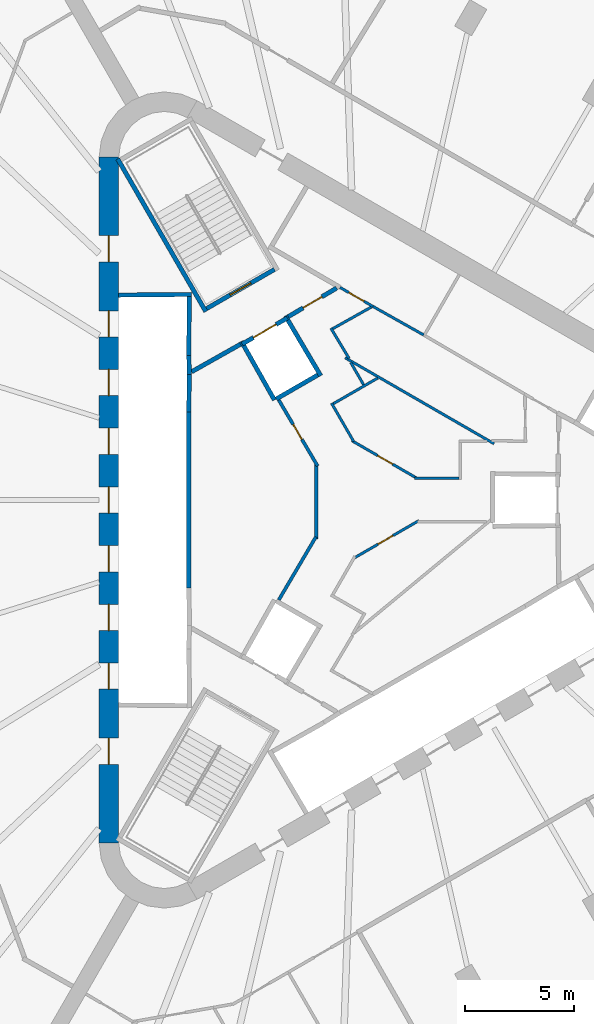
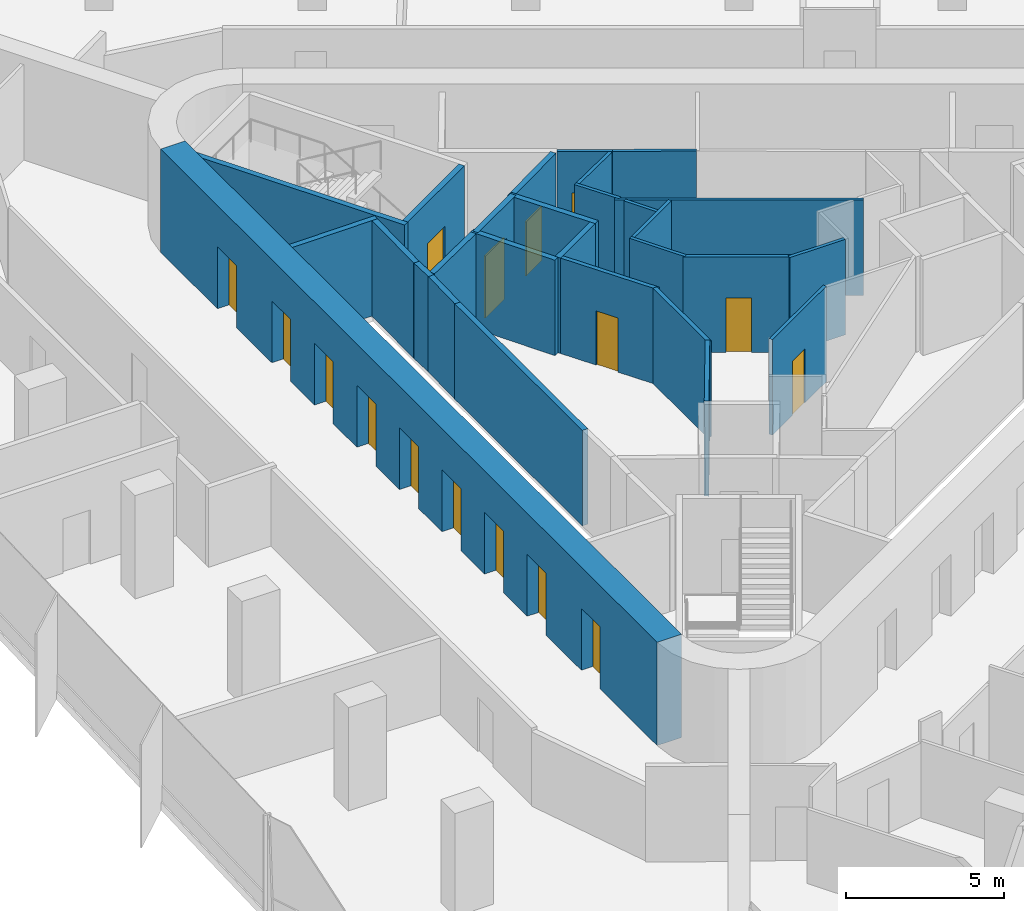
# One storey, part 10 of 14: 28 walls, 16 doors, 16 openings.
"""IFC4 building model written with IfcOpenShell, lengths in metres."""

from ifc_helpers import new_model, si_unit, direction, frame, frame_2d, origin, place, context, subcontext, project, spatial, rectangle, extrude, material, layer, layer_set, type_object, element, fill, save


model = new_model("IFC4")

# Units and contexts
model_context = context("Model", 3, precision=1e-05, world=origin(), true_north=direction((0.0, 1.0)))
body_context = subcontext(model_context, "Body", "Model", "MODEL_VIEW")
ifc_project = project(units=[si_unit("LENGTHUNIT", "METRE"), si_unit("AREAUNIT", "SQUARE_METRE"), si_unit("VOLUMEUNIT", "CUBIC_METRE"), si_unit("PLANEANGLEUNIT", "RADIAN"), si_unit("MASSUNIT", "GRAM", prefix="KILO")], contexts=[model_context])

# Site, building, storey
site_placement = place(None, origin())
site = spatial("IfcSite", under=ifc_project, at=site_placement, CompositionType="ELEMENT")
building_placement = place(site_placement, origin())
building = spatial("IfcBuilding", under=site, at=building_placement, Name="Tanit Gate Tower", CompositionType="ELEMENT")
storey_placement = place(building_placement, frame((0.0, 0.0, 245.199951171875)))
storey = spatial("IfcBuildingStorey", under=building, at=storey_placement, Name="L55", CompositionType="ELEMENT", Elevation=245.199951171875)

# Wall, openings, doors
ifc_material_1 = material(Name="Concrete C50/60", Category="concrete")
ifc_layer_1 = layer(ifc_material_1, 0.89990234375)
ifc_layer_set_1 = layer_set([ifc_layer_1], Name="CORE WALL 900 C50/60")
wall_type_1 = type_object("IfcWallType", Name="CORE WALL 900 C50/60", PredefinedType="SHEAR", material=ifc_layer_set_1)
wall_1_placement = place(storey_placement, frame((-11.64990234375, 15.76171875, 0.0), z_axis=(0.0, 0.0, 1.0), x_axis=(0.0, -1.0, 0.0)))
wall_1 = element("IfcWall", 1, at=wall_1_placement, inside=storey, type_object=wall_type_1, Name="CORE WALL", PredefinedType="SHEAR", context=body_context, shape_type="SweptSolid", body=[
    extrude(rectangle(XDim=31.5234375, YDim=0.89990234375, at=frame_2d((15.76171875, 0.0))), origin(), (0.0, 0.0, 1.0), 4.0),
])
opening_1_placement = place(wall_1_placement, frame((7.061767578125, 0.0, 0.0)))
opening_1 = element("IfcOpeningElement", 2, at=opening_1_placement, cuts=wall_1, Name="Opening LDML1-S15", PredefinedType="OPENING", context=body_context, shape_type="SweptSolid", body=[
    extrude(rectangle(XDim=1.199951171875, YDim=2.39990234375, at=frame_2d((0.60009765625, 1.199951171875))), frame((0.0, 0.4599609375, 0.0), z_axis=(0.0, -1.0, 0.0), x_axis=(1.0, 0.0, 0.0)), (0.0, 0.0, 1.0), 0.919921875),
])
opening_2_placement = place(wall_1_placement, frame((9.76171875, 0.0, 0.0)))
opening_2 = element("IfcOpeningElement", 3, at=opening_2_placement, cuts=wall_1, Name="Opening LDML2-S15", PredefinedType="OPENING", context=body_context, shape_type="SweptSolid", body=[
    extrude(rectangle(XDim=1.199951171875, YDim=2.39990234375, at=frame_2d((0.60009765625, 1.199951171875))), frame((0.0, 0.4599609375, 0.0), z_axis=(0.0, -1.0, 0.0), x_axis=(1.0, 0.0, 0.0)), (0.0, 0.0, 1.0), 0.919921875),
])
opening_3_placement = place(wall_1_placement, frame((12.461669921875, 0.0, 0.0)))
opening_3 = element("IfcOpeningElement", 4, at=opening_3_placement, cuts=wall_1, Name="Opening LDML3-S15", PredefinedType="OPENING", context=body_context, shape_type="SweptSolid", body=[
    extrude(rectangle(XDim=1.199951171875, YDim=2.39990234375, at=frame_2d((0.60009765625, 1.199951171875))), frame((0.0, 0.4599609375, 0.0), z_axis=(0.0, -1.0, 0.0), x_axis=(1.0, 0.0, 0.0)), (0.0, 0.0, 1.0), 0.919921875),
])
opening_4_placement = place(wall_1_placement, frame((15.16162109375, 0.0, 0.0)))
opening_4 = element("IfcOpeningElement", 5, at=opening_4_placement, cuts=wall_1, Name="Opening LDML4-S15", PredefinedType="OPENING", context=body_context, shape_type="SweptSolid", body=[
    extrude(rectangle(XDim=1.199951171875, YDim=2.39990234375, at=frame_2d((0.60009765625, 1.199951171875))), frame((0.0, 0.4599609375, 0.0), z_axis=(0.0, -1.0, 0.0), x_axis=(1.0, 0.0, 0.0)), (0.0, 0.0, 1.0), 0.919921875),
])
opening_5_placement = place(wall_1_placement, frame((17.86181640625, 0.0, 0.0)))
opening_5 = element("IfcOpeningElement", 6, at=opening_5_placement, cuts=wall_1, Name="Opening LDML5-S15", PredefinedType="OPENING", context=body_context, shape_type="SweptSolid", body=[
    extrude(rectangle(XDim=1.199951171875, YDim=2.39990234375, at=frame_2d((0.60009765625, 1.199951171875))), frame((0.0, 0.4599609375, 0.0), z_axis=(0.0, -1.0, 0.0), x_axis=(1.0, 0.0, 0.0)), (0.0, 0.0, 1.0), 0.919921875),
])
opening_6_placement = place(wall_1_placement, frame((20.561767578125, 0.0, 0.0)))
opening_6 = element("IfcOpeningElement", 7, at=opening_6_placement, cuts=wall_1, Name="Opening LDML6-S15", PredefinedType="OPENING", context=body_context, shape_type="SweptSolid", body=[
    extrude(rectangle(XDim=1.199951171875, YDim=2.39990234375, at=frame_2d((0.60009765625, 1.199951171875))), frame((0.0, 0.4599609375, 0.0), z_axis=(0.0, -1.0, 0.0), x_axis=(1.0, 0.0, 0.0)), (0.0, 0.0, 1.0), 0.919921875),
])
opening_7_placement = place(wall_1_placement, frame((23.26171875, 0.0, 0.0)))
opening_7 = element("IfcOpeningElement", 8, at=opening_7_placement, cuts=wall_1, Name="Opening LDML7-S15", PredefinedType="OPENING", context=body_context, shape_type="SweptSolid", body=[
    extrude(rectangle(XDim=1.199951171875, YDim=2.39990234375, at=frame_2d((0.60009765625, 1.199951171875))), frame((0.0, 0.4599609375, 0.0), z_axis=(0.0, -1.0, 0.0), x_axis=(1.0, 0.0, 0.0)), (0.0, 0.0, 1.0), 0.919921875),
])
opening_8_placement = place(wall_1_placement, frame((3.61181640625, 0.0, 0.0)))
opening_8 = element("IfcOpeningElement", 9, at=opening_8_placement, cuts=wall_1, Name="Opening F12-S15-FL2", PredefinedType="OPENING", context=body_context, shape_type="SweptSolid", body=[
    extrude(rectangle(XDim=1.199951171875, YDim=2.39990234375, at=frame_2d((0.60009765625, 1.199951171875))), frame((0.0, 0.4599609375, 0.0), z_axis=(0.0, -1.0, 0.0), x_axis=(1.0, 0.0, 0.0)), (0.0, 0.0, 1.0), 0.919921875),
])
opening_9_placement = place(wall_1_placement, frame((26.711669921875, 0.0, 0.0)))
opening_9 = element("IfcOpeningElement", 10, at=opening_9_placement, cuts=wall_1, Name="Opening F12-S15-S3", PredefinedType="OPENING", context=body_context, shape_type="SweptSolid", body=[
    extrude(rectangle(XDim=1.199951171875, YDim=2.39990234375, at=frame_2d((0.60009765625, 1.199951171875))), frame((0.0, 0.4599609375, 0.0), z_axis=(0.0, -1.0, 0.0), x_axis=(1.0, 0.0, 0.0)), (0.0, 0.0, 1.0), 0.919921875),
])
ifc_material_2 = material(Name="Fire-rated steel door leaf", Category="steel")
door_type_1 = type_object("IfcDoorType", Name="INT-DOOR-FIRE-LOBBY-1200", OperationType="NOTDEFINED", PredefinedType="USERDEFINED", material=ifc_material_2)
door_1_placement = place(opening_8_placement, origin())
door_1 = element("IfcDoor", 11, at=door_1_placement, inside=storey, type_object=door_type_1, Name="Door F12-S15-FL2", ObjectType="FIRE DOOR", OperationType="SINGLE_SWING_LEFT", OverallHeight=2.39990234375, OverallWidth=1.199951171875, PredefinedType="USERDEFINED", context=body_context, shape_type="SweptSolid", body=[
    extrude(rectangle(XDim=1.199951171875, YDim=2.39990234375, at=frame_2d((0.60009765625, 1.199951171875))), frame((0.0, 0.02490234375, 0.0), z_axis=(0.0, -1.0, 0.0), x_axis=(1.0, 0.0, 0.0)), (0.0, 0.0, 1.0), 0.050048828125),
])
fill(opening_8, door_1)
door_2_placement = place(opening_9_placement, origin())
door_2 = element("IfcDoor", 12, at=door_2_placement, inside=storey, type_object=door_type_1, Name="Door F12-S15-S3", ObjectType="FIRE DOOR", OperationType="SINGLE_SWING_RIGHT", OverallHeight=2.39990234375, OverallWidth=1.199951171875, PredefinedType="USERDEFINED", context=body_context, shape_type="SweptSolid", body=[
    extrude(rectangle(XDim=1.199951171875, YDim=2.39990234375, at=frame_2d((0.60009765625, 1.199951171875))), frame((0.0, 0.02490234375, 0.0), z_axis=(0.0, -1.0, 0.0), x_axis=(1.0, 0.0, 0.0)), (0.0, 0.0, 1.0), 0.050048828125),
])
fill(opening_9, door_2)
ifc_material_3 = material(Name="Stainless steel sliding door leaf", Category="steel")
door_type_2 = type_object("IfcDoorType", Name="INT-DOOR-LANDING-1200", OperationType="NOTDEFINED", PredefinedType="USERDEFINED", material=ifc_material_3)
door_3_placement = place(opening_1_placement, origin())
door_3 = element("IfcDoor", 13, at=door_3_placement, inside=storey, type_object=door_type_2, Name="Door LDML1-S15", ObjectType="LANDING DOOR", OperationType="SLIDING_TO_LEFT", OverallHeight=2.39990234375, OverallWidth=1.199951171875, PredefinedType="USERDEFINED", context=body_context, shape_type="SweptSolid", body=[
    extrude(rectangle(XDim=1.199951171875, YDim=2.39990234375, at=frame_2d((0.60009765625, 1.199951171875))), frame((0.0, 0.02490234375, 0.0), z_axis=(0.0, -1.0, 0.0), x_axis=(1.0, 0.0, 0.0)), (0.0, 0.0, 1.0), 0.050048828125),
])
fill(opening_1, door_3)
door_4_placement = place(opening_2_placement, origin())
door_4 = element("IfcDoor", 14, at=door_4_placement, inside=storey, type_object=door_type_2, Name="Door LDML2-S15", ObjectType="LANDING DOOR", OperationType="SLIDING_TO_LEFT", OverallHeight=2.39990234375, OverallWidth=1.199951171875, PredefinedType="USERDEFINED", context=body_context, shape_type="SweptSolid", body=[
    extrude(rectangle(XDim=1.199951171875, YDim=2.39990234375, at=frame_2d((0.60009765625, 1.199951171875))), frame((0.0, 0.02490234375, 0.0), z_axis=(0.0, -1.0, 0.0), x_axis=(1.0, 0.0, 0.0)), (0.0, 0.0, 1.0), 0.050048828125),
])
fill(opening_2, door_4)
door_5_placement = place(opening_3_placement, origin())
door_5 = element("IfcDoor", 15, at=door_5_placement, inside=storey, type_object=door_type_2, Name="Door LDML3-S15", ObjectType="LANDING DOOR", OperationType="SLIDING_TO_LEFT", OverallHeight=2.39990234375, OverallWidth=1.199951171875, PredefinedType="USERDEFINED", context=body_context, shape_type="SweptSolid", body=[
    extrude(rectangle(XDim=1.199951171875, YDim=2.39990234375, at=frame_2d((0.60009765625, 1.199951171875))), frame((0.0, 0.02490234375, 0.0), z_axis=(0.0, -1.0, 0.0), x_axis=(1.0, 0.0, 0.0)), (0.0, 0.0, 1.0), 0.050048828125),
])
fill(opening_3, door_5)
door_6_placement = place(opening_4_placement, origin())
door_6 = element("IfcDoor", 16, at=door_6_placement, inside=storey, type_object=door_type_2, Name="Door LDML4-S15", ObjectType="LANDING DOOR", OperationType="SLIDING_TO_LEFT", OverallHeight=2.39990234375, OverallWidth=1.199951171875, PredefinedType="USERDEFINED", context=body_context, shape_type="SweptSolid", body=[
    extrude(rectangle(XDim=1.199951171875, YDim=2.39990234375, at=frame_2d((0.60009765625, 1.199951171875))), frame((0.0, 0.02490234375, 0.0), z_axis=(0.0, -1.0, 0.0), x_axis=(1.0, 0.0, 0.0)), (0.0, 0.0, 1.0), 0.050048828125),
])
fill(opening_4, door_6)
door_7_placement = place(opening_5_placement, origin())
door_7 = element("IfcDoor", 17, at=door_7_placement, inside=storey, type_object=door_type_2, Name="Door LDML5-S15", ObjectType="LANDING DOOR", OperationType="SLIDING_TO_LEFT", OverallHeight=2.39990234375, OverallWidth=1.199951171875, PredefinedType="USERDEFINED", context=body_context, shape_type="SweptSolid", body=[
    extrude(rectangle(XDim=1.199951171875, YDim=2.39990234375, at=frame_2d((0.60009765625, 1.199951171875))), frame((0.0, 0.02490234375, 0.0), z_axis=(0.0, -1.0, 0.0), x_axis=(1.0, 0.0, 0.0)), (0.0, 0.0, 1.0), 0.050048828125),
])
fill(opening_5, door_7)
door_8_placement = place(opening_6_placement, origin())
door_8 = element("IfcDoor", 18, at=door_8_placement, inside=storey, type_object=door_type_2, Name="Door LDML6-S15", ObjectType="LANDING DOOR", OperationType="SLIDING_TO_LEFT", OverallHeight=2.39990234375, OverallWidth=1.199951171875, PredefinedType="USERDEFINED", context=body_context, shape_type="SweptSolid", body=[
    extrude(rectangle(XDim=1.199951171875, YDim=2.39990234375, at=frame_2d((0.60009765625, 1.199951171875))), frame((0.0, 0.02490234375, 0.0), z_axis=(0.0, -1.0, 0.0), x_axis=(1.0, 0.0, 0.0)), (0.0, 0.0, 1.0), 0.050048828125),
])
fill(opening_6, door_8)
door_9_placement = place(opening_7_placement, origin())
door_9 = element("IfcDoor", 19, at=door_9_placement, inside=storey, type_object=door_type_2, Name="Door LDML7-S15", ObjectType="LANDING DOOR", OperationType="SLIDING_TO_LEFT", OverallHeight=2.39990234375, OverallWidth=1.199951171875, PredefinedType="USERDEFINED", context=body_context, shape_type="SweptSolid", body=[
    extrude(rectangle(XDim=1.199951171875, YDim=2.39990234375, at=frame_2d((0.60009765625, 1.199951171875))), frame((0.0, 0.02490234375, 0.0), z_axis=(0.0, -1.0, 0.0), x_axis=(1.0, 0.0, 0.0)), (0.0, 0.0, 1.0), 0.050048828125),
])
fill(opening_7, door_9)

# Wall
ifc_material_4 = material(Name="Fire-rated gypsum board partition")
ifc_layer_2 = layer(ifc_material_4, 0.199951171875)
ifc_layer_set_2 = layer_set([ifc_layer_2], Name="INT-WALL-COMPARTMENT")
wall_type_2 = type_object("IfcWallType", Name="INT-WALL-COMPARTMENT", PredefinedType="PARTITIONING", material=ifc_layer_set_2)
wall_2_placement = place(storey_placement, frame((-5.600341796875, 7.16015625, 0.0), z_axis=(0.0, 0.0, 1.0), x_axis=(-0.871340486379, -0.490678873396, 0.0)))
element("IfcWall", 20, at=wall_2_placement, inside=storey, type_object=wall_type_2, Name="Wall Compartment W061", PredefinedType="PARTITIONING", context=body_context, shape_type="SweptSolid", body=[
    extrude(rectangle(XDim=2.580810546875, YDim=0.199951171875, at=frame_2d((1.29052734375, 0.0))), origin(), (0.0, 0.0, 1.0), 3.699951171875),
])

# Wall, opening, door
wall_3_placement = place(storey_placement, frame((-1.1787109375, 9.744873046875, 0.0), z_axis=(0.0, 0.0, 1.0), x_axis=(-0.860630814782, -0.509229418482, 0.0)))
wall_3 = element("IfcWall", 21, at=wall_3_placement, inside=storey, type_object=wall_type_2, Name="Wall Compartment W062", PredefinedType="PARTITIONING", context=body_context, shape_type="SweptSolid", body=[
    extrude(rectangle(XDim=2.581787109375, YDim=0.199951171875, at=frame_2d((1.291015625, 0.0))), origin(), (0.0, 0.0, 1.0), 3.699951171875),
])
opening_10_placement = place(wall_3_placement, frame((0.791015625, 0.0, 0.0)))
opening_10 = element("IfcOpeningElement", 22, at=opening_10_placement, cuts=wall_3, Name="Opening F10-S15-05", PredefinedType="OPENING", context=body_context, shape_type="SweptSolid", body=[
    extrude(rectangle(XDim=1.0, YDim=2.10009765625, at=frame_2d((0.5, 1.050048828125))), frame((0.0, 0.10986328125, 0.0), z_axis=(0.0, -1.0, 0.0), x_axis=(1.0, 0.0, 0.0)), (0.0, 0.0, 1.0), 0.219970703125),
])
ifc_material_5 = material(Name="Fire-rated steel door leaf", Category="steel")
door_type_3 = type_object("IfcDoorType", Name="INT-DOOR-FIRE-1000", OperationType="NOTDEFINED", PredefinedType="USERDEFINED", material=ifc_material_5)
door_10_placement = place(opening_10_placement, origin())
door_10 = element("IfcDoor", 23, at=door_10_placement, inside=storey, type_object=door_type_3, Name="Door F10-S15-05", ObjectType="FIRE DOOR", OperationType="SINGLE_SWING_RIGHT", OverallHeight=2.10009765625, OverallWidth=1.0, PredefinedType="USERDEFINED", context=body_context, shape_type="SweptSolid", body=[
    extrude(rectangle(XDim=1.0, YDim=2.10009765625, at=frame_2d((0.5, 1.050048828125))), frame((0.0, 0.02490234375, 0.0), z_axis=(0.0, -1.0, 0.0), x_axis=(1.0, 0.0, 0.0)), (0.0, 0.0, 1.0), 0.050048828125),
])
fill(opening_10, door_10)

ifc_material_6 = material(Name="Gypsum board partition")
ifc_layer_3 = layer(ifc_material_6, 0.1201171875)
ifc_layer_set_3 = layer_set([ifc_layer_3], Name="INT-WALL-PARTITION")
wall_type_3 = type_object("IfcWallType", Name="INT-WALL-PARTITION", PredefinedType="PARTITIONING", material=ifc_layer_set_3)
wall_4_placement = place(storey_placement, frame((-1.02392578125, 9.77099609375, 0.0), z_axis=(0.0, 0.0, 1.0), x_axis=(0.866039397417, -0.499975761534, 0.0)))
wall_4 = element("IfcWall", 24, at=wall_4_placement, inside=storey, type_object=wall_type_3, Name="Wall Partition W056", PredefinedType="PARTITIONING", context=body_context, shape_type="SweptSolid", body=[
    extrude(rectangle(XDim=1.751953125, YDim=0.1201171875, at=frame_2d((0.8759765625, 0.0))), origin(), (0.0, 0.0, 1.0), 3.699951171875),
])
opening_11_placement = place(wall_4_placement, frame((0.4658203125, 0.0, 0.0)))
opening_11 = element("IfcOpeningElement", 25, at=opening_11_placement, cuts=wall_4, Name="Opening R08-S15-16", PredefinedType="OPENING", context=body_context, shape_type="SweptSolid", body=[
    extrude(rectangle(XDim=0.800048828125, YDim=2.10009765625, at=frame_2d((0.39990234375, 1.050048828125))), frame((0.0, 0.070068359375, 0.0), z_axis=(0.0, -1.0, 0.0), x_axis=(1.0, 0.0, 0.0)), (0.0, 0.0, 1.0), 0.14013671875),
])
ifc_material_7 = material(Name="Timber door leaf", Category="wood")
door_type_4 = type_object("IfcDoorType", Name="INT-DOOR-RISER-800", OperationType="NOTDEFINED", PredefinedType="USERDEFINED", material=ifc_material_7)
door_11_placement = place(opening_11_placement, origin())
door_11 = element("IfcDoor", 26, at=door_11_placement, inside=storey, type_object=door_type_4, Name="Door R08-S15-16", ObjectType="FIRE DOOR", OperationType="SINGLE_SWING_LEFT", OverallHeight=2.10009765625, OverallWidth=0.800048828125, PredefinedType="USERDEFINED", context=body_context, shape_type="SweptSolid", body=[
    extrude(rectangle(XDim=0.800048828125, YDim=2.10009765625, at=frame_2d((0.39990234375, 1.050048828125))), frame((0.0, 0.02490234375, 0.0), z_axis=(0.0, -1.0, 0.0), x_axis=(1.0, 0.0, 0.0)), (0.0, 0.0, 1.0), 0.050048828125),
])
fill(opening_11, door_11)

# Wall
wall_5_placement = place(storey_placement, frame((0.493896484375, 8.895751953125, 0.0), z_axis=(0.0, 0.0, 1.0), x_axis=(0.871426548871, -0.490526013503, 0.0)))
element("IfcWall", 27, at=wall_5_placement, inside=storey, type_object=wall_type_3, Name="Wall Partition W055", PredefinedType="PARTITIONING", context=body_context, shape_type="SweptSolid", body=[
    extrude(rectangle(XDim=2.670166015625, YDim=0.1201171875, at=frame_2d((1.3349609375, 0.0))), origin(), (0.0, 0.0, 1.0), 3.699951171875),
])

# Wall, opening, door
wall_6_placement = place(storey_placement, frame((2.6015625, -0.947998046875, 0.0), z_axis=(0.0, 0.0, 1.0), x_axis=(-0.86601279846, -0.500021832428, 0.0)))
wall_6 = element("IfcWall", 28, at=wall_6_placement, inside=storey, type_object=wall_type_3, Name="Wall Partition W072", PredefinedType="PARTITIONING", context=body_context, shape_type="SweptSolid", body=[
    extrude(rectangle(XDim=3.435302734375, YDim=0.1201171875, at=frame_2d((1.7177734375, 0.0))), origin(), (0.0, 0.0, 1.0), 3.699951171875),
])
opening_12_placement = place(wall_6_placement, frame((1.36962890625, 0.0, 0.0)))
opening_12 = element("IfcOpeningElement", 29, at=opening_12_placement, cuts=wall_6, Name="Opening R08-S15-11", PredefinedType="OPENING", context=body_context, shape_type="SweptSolid", body=[
    extrude(rectangle(XDim=0.800048828125, YDim=2.10009765625, at=frame_2d((0.39990234375, 1.050048828125))), frame((0.0, 0.070068359375, 0.0), z_axis=(0.0, -1.0, 0.0), x_axis=(1.0, 0.0, 0.0)), (0.0, 0.0, 1.0), 0.14013671875),
])
door_12_placement = place(opening_12_placement, origin())
door_12 = element("IfcDoor", 30, at=door_12_placement, inside=storey, type_object=door_type_4, Name="Door R08-S15-11", ObjectType="FIRE DOOR", OperationType="SINGLE_SWING_LEFT", OverallHeight=2.10009765625, OverallWidth=0.800048828125, PredefinedType="USERDEFINED", context=body_context, shape_type="SweptSolid", body=[
    extrude(rectangle(XDim=0.800048828125, YDim=2.10009765625, at=frame_2d((0.39990234375, 1.050048828125))), frame((0.0, 0.02490234375, 0.0), z_axis=(0.0, -1.0, 0.0), x_axis=(1.0, 0.0, 0.0)), (0.0, 0.0, 1.0), 0.050048828125),
])
fill(opening_12, door_12)

# Walls
wall_7_placement = place(storey_placement, frame((-0.786376953125, 6.5380859375, 0.0), z_axis=(0.0, 0.0, 1.0), x_axis=(0.866034288228, -0.499984611377, 0.0)))
element("IfcWall", 31, at=wall_7_placement, inside=storey, type_object=wall_type_3, Name="Wall Partition W076", PredefinedType="PARTITIONING", context=body_context, shape_type="SweptSolid", body=[
    extrude(rectangle(XDim=7.900146484375, YDim=0.1201171875, at=frame_2d((3.9501953125, 0.0))), origin(), (0.0, 0.0, 1.0), 3.699951171875),
])
wall_8_placement = place(storey_placement, frame((2.407470703125, 1.0, 0.0), z_axis=(0.0, 0.0, 1.0), x_axis=(1.0, 0.0, 0.0)))
element("IfcWall", 32, at=wall_8_placement, inside=storey, type_object=wall_type_3, Name="Wall Partition W079", PredefinedType="PARTITIONING", context=body_context, shape_type="SweptSolid", body=[
    extrude(rectangle(XDim=2.032470703125, YDim=0.1201171875, at=frame_2d((1.01611328125, 0.0))), origin(), (0.0, 0.0, 1.0), 3.699951171875),
])

# Wall, opening, door
wall_9_placement = place(storey_placement, frame((-0.479736328125, 2.72705078125, 0.0), z_axis=(0.0, 0.0, 1.0), x_axis=(0.86601279846, -0.500021832428, 0.0)))
wall_9 = element("IfcWall", 33, at=wall_9_placement, inside=storey, type_object=wall_type_3, Name="Wall Partition W080", PredefinedType="PARTITIONING", context=body_context, shape_type="SweptSolid", body=[
    extrude(rectangle(XDim=3.435302734375, YDim=0.1201171875, at=frame_2d((1.7177734375, 0.0))), origin(), (0.0, 0.0, 1.0), 3.699951171875),
])
opening_13_placement = place(wall_9_placement, frame((1.36962890625, 0.0, 0.0)))
opening_13 = element("IfcOpeningElement", 34, at=opening_13_placement, cuts=wall_9, Name="Opening R08-S15-13", PredefinedType="OPENING", context=body_context, shape_type="SweptSolid", body=[
    extrude(rectangle(XDim=0.800048828125, YDim=2.10009765625, at=frame_2d((0.39990234375, 1.050048828125))), frame((0.0, 0.070068359375, 0.0), z_axis=(0.0, -1.0, 0.0), x_axis=(1.0, 0.0, 0.0)), (0.0, 0.0, 1.0), 0.14013671875),
])
door_13_placement = place(opening_13_placement, origin())
door_13 = element("IfcDoor", 35, at=door_13_placement, inside=storey, type_object=door_type_4, Name="Door R08-S15-13", ObjectType="FIRE DOOR", OperationType="SINGLE_SWING_RIGHT", OverallHeight=2.10009765625, OverallWidth=0.800048828125, PredefinedType="USERDEFINED", context=body_context, shape_type="SweptSolid", body=[
    extrude(rectangle(XDim=0.800048828125, YDim=2.10009765625, at=frame_2d((0.39990234375, 1.050048828125))), frame((0.0, 0.02490234375, 0.0), z_axis=(0.0, -1.0, 0.0), x_axis=(1.0, 0.0, 0.0)), (0.0, 0.0, 1.0), 0.050048828125),
])
fill(opening_13, door_13)

# Walls
wall_10_placement = place(storey_placement, frame((-1.4140625, 4.448974609375, 0.0), z_axis=(0.0, 0.0, 1.0), x_axis=(0.500097243556, -0.865969252911, 0.0)))
element("IfcWall", 36, at=wall_10_placement, inside=storey, type_object=wall_type_3, Name="Wall Partition W081", PredefinedType="PARTITIONING", context=body_context, shape_type="SweptSolid", body=[
    extrude(rectangle(XDim=2.02978515625, YDim=0.1201171875, at=frame_2d((1.014892578125, 0.0))), origin(), (0.0, 0.0, 1.0), 3.699951171875),
])
wall_11_placement = place(storey_placement, frame((0.708984375, 5.60546875, 0.0), z_axis=(0.0, 0.0, 1.0), x_axis=(-0.8660096254, -0.500027327967, 0.0)))
element("IfcWall", 37, at=wall_11_placement, inside=storey, type_object=wall_type_3, Name="Wall Partition W082", PredefinedType="PARTITIONING", context=body_context, shape_type="SweptSolid", body=[
    extrude(rectangle(XDim=2.356689453125, YDim=0.1201171875, at=frame_2d((1.17822265625, 0.0))), origin(), (0.0, 0.0, 1.0), 3.699951171875),
])
wall_12_placement = place(storey_placement, frame((-0.532470703125, 6.322265625, 0.0), z_axis=(0.0, 0.0, 1.0), x_axis=(0.50005036918, -0.865996321171, 0.0)))
element("IfcWall", 38, at=wall_12_placement, inside=storey, type_object=wall_type_3, Name="Wall Partition W083", PredefinedType="PARTITIONING", context=body_context, shape_type="SweptSolid", body=[
    extrude(rectangle(XDim=1.181640625, YDim=0.1201171875, at=frame_2d((0.5908203125, 0.0))), origin(), (0.0, 0.0, 1.0), 3.699951171875),
])
wall_13_placement = place(storey_placement, frame((-1.442626953125, 7.896728515625, 0.0), z_axis=(0.0, 0.0, 1.0), x_axis=(0.514937238613, -0.85722788119, 0.0)))
element("IfcWall", 39, at=wall_13_placement, inside=storey, type_object=wall_type_3, Name="Wall Partition W084", PredefinedType="PARTITIONING", context=body_context, shape_type="SweptSolid", body=[
    extrude(rectangle(XDim=1.626220703125, YDim=0.1201171875, at=frame_2d((0.81298828125, 0.0))), origin(), (0.0, 0.0, 1.0), 3.699951171875),
])
wall_14_placement = place(storey_placement, frame((0.414306640625, 8.87109375, 0.0), z_axis=(0.0, 0.0, 1.0), x_axis=(-0.871809386997, -0.48984527429, 0.0)))
element("IfcWall", 40, at=wall_14_placement, inside=storey, type_object=wall_type_3, Name="Wall Partition W085", PredefinedType="PARTITIONING", context=body_context, shape_type="SweptSolid", body=[
    extrude(rectangle(XDim=2.034423828125, YDim=0.1201171875, at=frame_2d((1.01708984375, 0.0))), origin(), (0.0, 0.0, 1.0), 3.699951171875),
])

# Wall, opening, door
ifc_material_8 = material(Name="Fire-rated gypsum board partition")
ifc_layer_4 = layer(ifc_material_8, 0.14990234375)
ifc_layer_set_4 = layer_set([ifc_layer_4], Name="INT-WALL-RISER")
wall_type_4 = type_object("IfcWallType", Name="INT-WALL-RISER", PredefinedType="PLUMBINGWALL", material=ifc_layer_set_4)
wall_15_placement = place(storey_placement, frame((-2.05712890625, 1.565185546875, 0.0), z_axis=(0.0, 0.0, 1.0), x_axis=(-0.507299271879, 0.861769951176, 0.0)))
wall_15 = element("IfcWall", 41, at=wall_15_placement, inside=storey, type_object=wall_type_4, Name="Wall Riser W065", PredefinedType="PLUMBINGWALL", context=body_context, shape_type="SweptSolid", body=[
    extrude(rectangle(XDim=3.51611328125, YDim=0.14990234375, at=frame_2d((1.758056640625, 0.0))), origin(), (0.0, 0.0, 1.0), 3.699951171875),
])
opening_14_placement = place(wall_15_placement, frame((1.421630859375, 0.0, 0.0)))
opening_14 = element("IfcOpeningElement", 42, at=opening_14_placement, cuts=wall_15, Name="Opening R08-S15-10", PredefinedType="OPENING", context=body_context, shape_type="SweptSolid", body=[
    extrude(rectangle(XDim=0.800048828125, YDim=2.10009765625, at=frame_2d((0.39990234375, 1.050048828125))), frame((0.0, 0.0849609375, 0.0), z_axis=(0.0, -1.0, 0.0), x_axis=(1.0, 0.0, 0.0)), (0.0, 0.0, 1.0), 0.169921875),
])
door_14_placement = place(opening_14_placement, origin())
door_14 = element("IfcDoor", 43, at=door_14_placement, inside=storey, type_object=door_type_4, Name="Door R08-S15-10", ObjectType="FIRE DOOR", OperationType="SINGLE_SWING_LEFT", OverallHeight=2.10009765625, OverallWidth=0.800048828125, PredefinedType="USERDEFINED", context=body_context, shape_type="SweptSolid", body=[
    extrude(rectangle(XDim=0.800048828125, YDim=2.10009765625, at=frame_2d((0.39990234375, 1.050048828125))), frame((0.0, 0.02490234375, 0.0), z_axis=(0.0, -1.0, 0.0), x_axis=(1.0, 0.0, 0.0)), (0.0, 0.0, 1.0), 0.050048828125),
])
fill(opening_14, door_14)

# Walls
wall_16_placement = place(storey_placement, frame((-2.121826171875, -1.802490234375, 0.0), z_axis=(0.0, 0.0, 1.0), x_axis=(0.0, 1.0, 0.0)))
element("IfcWall", 44, at=wall_16_placement, inside=storey, type_object=wall_type_4, Name="Wall Riser W066", PredefinedType="PLUMBINGWALL", context=body_context, shape_type="SweptSolid", body=[
    extrude(rectangle(XDim=3.453857421875, YDim=0.14990234375, at=frame_2d((1.72705078125, 0.0))), origin(), (0.0, 0.0, 1.0), 3.699951171875),
])
wall_17_placement = place(storey_placement, frame((-3.8408203125, -4.59521484375, 0.0), z_axis=(0.0, 0.0, 1.0), x_axis=(0.507318157939, 0.861758833216, 0.0)))
element("IfcWall", 45, at=wall_17_placement, inside=storey, type_object=wall_type_4, Name="Wall Riser W067", PredefinedType="PLUMBINGWALL", context=body_context, shape_type="SweptSolid", body=[
    extrude(rectangle(XDim=3.36474609375, YDim=0.14990234375, at=frame_2d((1.682373046875, 0.0))), origin(), (0.0, 0.0, 1.0), 3.699951171875),
])
ifc_material_9 = material(Name="Gypsum shaft wall system")
ifc_layer_5 = layer(ifc_material_9, 0.199951171875)
ifc_layer_set_5 = layer_set([ifc_layer_5], Name="INT-WALL-SHAFT")
wall_type_5 = type_object("IfcWallType", Name="INT-WALL-SHAFT", PredefinedType="PLUMBINGWALL", material=ifc_layer_set_5)
wall_18_placement = place(storey_placement, frame((-11.199951171875, 9.419921875, 0.0), z_axis=(0.0, 0.0, 1.0), x_axis=(0.999957167047, 0.009255488683, 0.0)))
element("IfcWall", 46, at=wall_18_placement, inside=storey, type_object=wall_type_5, Name="Wall Shaft W001", PredefinedType="PLUMBINGWALL", context=body_context, shape_type="SweptSolid", body=[
    extrude(rectangle(XDim=3.35009765625, YDim=0.199951171875, at=frame_2d((1.675048828125, 0.0))), origin(), (0.0, 0.0, 1.0), 3.699951171875),
])
wall_19_placement = place(storey_placement, frame((-7.951171875, 9.35009765625, 0.0), z_axis=(0.0, 0.0, 1.0), x_axis=(-0.011120469654, -0.999938165666, 0.0)))
element("IfcWall", 47, at=wall_19_placement, inside=storey, type_object=wall_type_5, Name="Wall Shaft W002", PredefinedType="PLUMBINGWALL", context=body_context, shape_type="SweptSolid", body=[
    extrude(rectangle(XDim=2.700439453125, YDim=0.199951171875, at=frame_2d((1.35009765625, 0.0))), origin(), (0.0, 0.0, 1.0), 3.699951171875),
])
wall_20_placement = place(storey_placement, frame((-7.97705078125, 6.650146484375, 0.0), z_axis=(0.0, 0.0, 1.0), x_axis=(0.030861509705, -0.999523670164, 0.0)))
element("IfcWall", 48, at=wall_20_placement, inside=storey, type_object=wall_type_5, Name="Wall Shaft W003", PredefinedType="PLUMBINGWALL", context=body_context, shape_type="SweptSolid", body=[
    extrude(rectangle(XDim=0.878173828125, YDim=0.199951171875, at=frame_2d((0.43896484375, 0.0))), origin(), (0.0, 0.0, 1.0), 3.699951171875),
])
wall_21_placement = place(storey_placement, frame((-7.948974609375, 5.894287109375, 0.0), z_axis=(0.0, 0.0, 1.0), x_axis=(-0.016809909365, -0.999858703491, 0.0)))
element("IfcWall", 49, at=wall_21_placement, inside=storey, type_object=wall_type_5, Name="Wall Shaft W004", PredefinedType="PLUMBINGWALL", context=body_context, shape_type="SweptSolid", body=[
    extrude(rectangle(XDim=1.844482421875, YDim=0.199951171875, at=frame_2d((0.92236328125, 0.0))), origin(), (0.0, 0.0, 1.0), 3.699951171875),
])
wall_22_placement = place(storey_placement, frame((-7.97998046875, 4.050048828125, 0.0), z_axis=(0.0, 0.0, 1.0), x_axis=(0.0, -1.0, 0.0)))
element("IfcWall", 50, at=wall_22_placement, inside=storey, type_object=wall_type_5, Name="Wall Shaft W005", PredefinedType="PLUMBINGWALL", context=body_context, shape_type="SweptSolid", body=[
    extrude(rectangle(XDim=8.10009765625, YDim=0.199951171875, at=frame_2d((4.050048828125, 0.0))), origin(), (0.0, 0.0, 1.0), 3.699951171875),
])

# Wall, opening, door
wall_23_placement = place(storey_placement, frame((-5.524169921875, 7.168212890625, 0.0), z_axis=(0.0, 0.0, 1.0), x_axis=(0.866024647952, 0.500001309137, 0.0)))
wall_23 = element("IfcWall", 51, at=wall_23_placement, inside=storey, type_object=wall_type_5, Name="Wall Shaft W037", PredefinedType="PLUMBINGWALL", context=body_context, shape_type="SweptSolid", body=[
    extrude(rectangle(XDim=2.39990234375, YDim=0.199951171875, at=frame_2d((1.199951171875, 0.0))), origin(), (0.0, 0.0, 1.0), 3.699951171875),
])
opening_15_placement = place(wall_23_placement, frame((0.60009765625, 0.0, 0.0)))
opening_15 = element("IfcOpeningElement", 52, at=opening_15_placement, cuts=wall_23, Name="Opening LDFL2-L55", PredefinedType="OPENING", context=body_context, shape_type="SweptSolid", body=[
    extrude(rectangle(XDim=1.199951171875, YDim=2.39990234375, at=frame_2d((0.60009765625, 1.199951171875))), frame((0.0, 0.10986328125, 0.0), z_axis=(0.0, -1.0, 0.0), x_axis=(1.0, 0.0, 0.0)), (0.0, 0.0, 1.0), 0.219970703125),
])
door_15_placement = place(opening_15_placement, origin())
door_15 = element("IfcDoor", 53, at=door_15_placement, inside=storey, type_object=door_type_2, Name="Door LDFL2-L55", ObjectType="LANDING DOOR", OperationType="SLIDING_TO_LEFT", OverallHeight=2.39990234375, OverallWidth=1.199951171875, PredefinedType="USERDEFINED", context=body_context, shape_type="SweptSolid", body=[
    extrude(rectangle(XDim=1.199951171875, YDim=2.39990234375, at=frame_2d((0.60009765625, 1.199951171875))), frame((0.0, 0.02490234375, 0.0), z_axis=(0.0, -1.0, 0.0), x_axis=(1.0, 0.0, 0.0)), (0.0, 0.0, 1.0), 0.050048828125),
])
fill(opening_15, door_15)

# Walls
wall_24_placement = place(storey_placement, frame((-4.039306640625, 4.59619140625, 0.0), z_axis=(0.0, 0.0, 1.0), x_axis=(-0.491322718731, 0.870977603649, 0.0)))
element("IfcWall", 54, at=wall_24_placement, inside=storey, type_object=wall_type_5, Name="Wall Shaft W038", PredefinedType="PLUMBINGWALL", context=body_context, shape_type="SweptSolid", body=[
    extrude(rectangle(XDim=3.10009765625, YDim=0.199951171875, at=frame_2d((1.550048828125, 0.0))), origin(), (0.0, 0.0, 1.0), 3.699951171875),
])
wall_25_placement = place(storey_placement, frame((-3.53759765625, 8.46533203125, 0.0), z_axis=(0.0, 0.0, 1.0), x_axis=(0.508616218331, -0.860993346345, 0.0)))
element("IfcWall", 55, at=wall_25_placement, inside=storey, type_object=wall_type_5, Name="Wall Shaft W039", PredefinedType="PLUMBINGWALL", context=body_context, shape_type="SweptSolid", body=[
    extrude(rectangle(XDim=3.2001953125, YDim=0.199951171875, at=frame_2d((1.60009765625, 0.0))), origin(), (0.0, 0.0, 1.0), 3.699951171875),
])
wall_26_placement = place(storey_placement, frame((-2.04736328125, 5.74609375, 0.0), z_axis=(0.0, 0.0, 1.0), x_axis=(-0.866019606374, -0.500010041276, 0.0)))
element("IfcWall", 56, at=wall_26_placement, inside=storey, type_object=wall_type_5, Name="Wall Shaft W040", PredefinedType="PLUMBINGWALL", context=body_context, shape_type="SweptSolid", body=[
    extrude(rectangle(XDim=2.20458984375, YDim=0.199951171875, at=frame_2d((1.102294921875, 0.0))), origin(), (0.0, 0.0, 1.0), 3.699951171875),
])
ifc_material_10 = material(Name="Concrete C40/50", Category="concrete")
ifc_layer_6 = layer(ifc_material_10, 0.199951171875)
ifc_layer_set_6 = layer_set([ifc_layer_6], Name="INT-WALL-STAIR")
wall_type_6 = type_object("IfcWallType", Name="INT-WALL-STAIR", PredefinedType="SHEAR", material=ifc_layer_set_6)
wall_27_placement = place(storey_placement, frame((-11.245361328125, 15.677734375, -0.300048828125), z_axis=(0.0, 0.0, 1.0), x_axis=(0.499977274689, -0.866038523851, 0.0)))
element("IfcWall", 57, at=wall_27_placement, inside=storey, type_object=wall_type_6, Name="Wall Stair W033", PredefinedType="SHEAR", context=body_context, shape_type="SweptSolid", body=[
    extrude(rectangle(XDim=8.10009765625, YDim=0.199951171875, at=frame_2d((4.050048828125, 0.0))), origin(), (0.0, 0.0, 1.0), 4.0),
])

# Wall, opening, door
wall_28_placement = place(storey_placement, frame((-7.158935546875, 8.799560546875, -0.300048828125), z_axis=(0.0, 0.0, 1.0), x_axis=(0.866047807691, 0.499961193289, 0.0)))
wall_28 = element("IfcWall", 58, at=wall_28_placement, inside=storey, type_object=wall_type_6, Name="Wall Stair W036", PredefinedType="SHEAR", context=body_context, shape_type="SweptSolid", body=[
    extrude(rectangle(XDim=3.599853515625, YDim=0.199951171875, at=frame_2d((1.7998046875, 0.0))), origin(), (0.0, 0.0, 1.0), 4.0),
])
opening_16_placement = place(wall_28_placement, frame((1.25, 0.0, 0.300048828125)))
opening_16 = element("IfcOpeningElement", 59, at=opening_16_placement, cuts=wall_28, Name="Opening S11-S15-04", PredefinedType="OPENING", context=body_context, shape_type="SweptSolid", body=[
    extrude(rectangle(XDim=1.10009765625, YDim=2.10009765625, at=frame_2d((0.550048828125, 1.050048828125))), frame((0.0, 0.10986328125, 0.0), z_axis=(0.0, -1.0, 0.0), x_axis=(1.0, 0.0, 0.0)), (0.0, 0.0, 1.0), 0.219970703125),
])
ifc_material_11 = material(Name="Timber door leaf", Category="wood")
door_type_5 = type_object("IfcDoorType", Name="INT-DOOR-STAIR-1100", OperationType="NOTDEFINED", PredefinedType="USERDEFINED", material=ifc_material_11)
door_16_placement = place(opening_16_placement, origin())
door_16 = element("IfcDoor", 60, at=door_16_placement, inside=storey, type_object=door_type_5, Name="Door S11-S15-04", ObjectType="FIRE DOOR", OperationType="SINGLE_SWING_LEFT", OverallHeight=2.10009765625, OverallWidth=1.10009765625, PredefinedType="USERDEFINED", context=body_context, shape_type="SweptSolid", body=[
    extrude(rectangle(XDim=1.10009765625, YDim=2.10009765625, at=frame_2d((0.550048828125, 1.050048828125))), frame((0.0, 0.02490234375, 0.0), z_axis=(0.0, -1.0, 0.0), x_axis=(1.0, 0.0, 0.0)), (0.0, 0.0, 1.0), 0.050048828125),
])
fill(opening_16, door_16)

save(model, "model.ifc")
